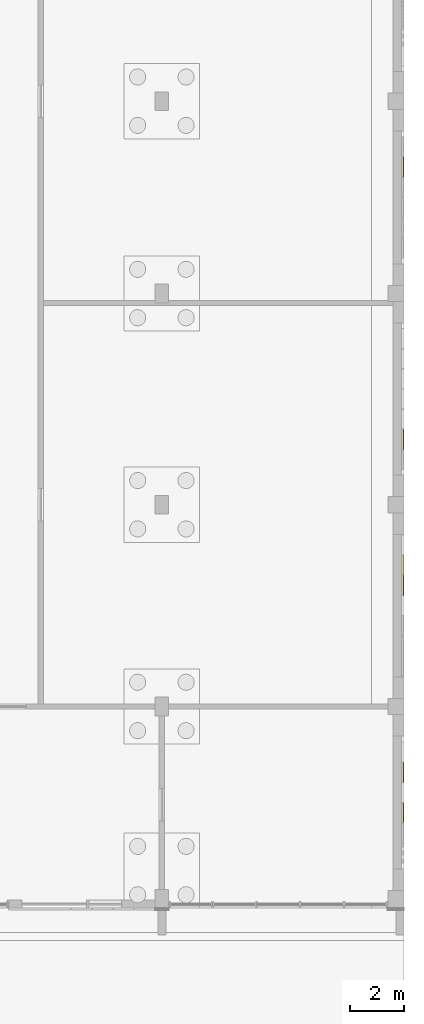
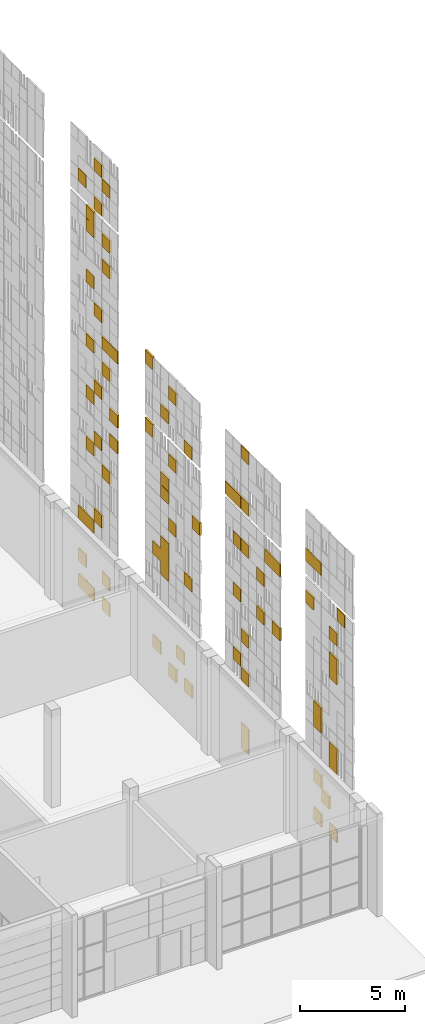
# One storey, part 106 of 125: 1 covering.
"""IFC4 building model written with IfcOpenShell, lengths in metres."""

from ifc_helpers import new_model, si_unit, direction, frame, origin, origin_2d, place, context, subcontext, project, spatial, rectangle, extrude, material, layer, layer_set, type_object, element, save


model = new_model("IFC4")

# Units and contexts
model_context = context("Model", 3, precision=1e-05, world=origin(), true_north=direction((0.0, 1.0)))
body_context = subcontext(model_context, "Body", "Model", "MODEL_VIEW")
ifc_project = project(units=[si_unit("LENGTHUNIT", "METRE"), si_unit("AREAUNIT", "SQUARE_METRE"), si_unit("VOLUMEUNIT", "CUBIC_METRE"), si_unit("PLANEANGLEUNIT", "RADIAN"), si_unit("MASSUNIT", "GRAM", prefix="KILO")], contexts=[model_context])

# Site, building, storey
site_placement = place(None, origin())
site = spatial("IfcSite", under=ifc_project, at=site_placement, CompositionType="ELEMENT")
building_placement = place(site_placement, origin())
building = spatial("IfcBuilding", under=site, at=building_placement, Name="Sun Court Science Centre", CompositionType="ELEMENT")
storey_placement = place(building_placement, origin())
storey = spatial("IfcBuildingStorey", under=building, at=storey_placement, Name="L00", CompositionType="ELEMENT", Elevation=0.0)

# Covering
ifc_material = material(Name="Terracotta shade 4", Category="masonry")
ifc_layer = layer(ifc_material, 0.06005859375)
ifc_layer_set = layer_set([ifc_layer], Name="Terracotta shade 4")
covering_type = type_object("IfcCoveringType", Name="Terracotta pixel panel shade 4", PredefinedType="CLADDING", material=ifc_layer_set)
covering_placement = place(storey_placement, origin())
element("IfcCovering", 1, at=covering_placement, inside=storey, type_object=covering_type, Name="Terracotta pixel cladding shade 4 east party wall L00", PredefinedType="CLADDING", context=body_context, shape_type="SweptSolid", body=[
    extrude(rectangle(XDim=0.739990234375, YDim=0.10009765625, at=origin_2d()), frame((103.949951171875, 11.050048828125, 1.72998046875), z_axis=(0.0, 0.0, 1.0), x_axis=(0.0, -1.0, 0.0)), (0.0, 0.0, 1.0), 0.739990234375),
    extrude(rectangle(XDim=0.739990234375, YDim=0.10009765625, at=origin_2d()), frame((103.949951171875, 10.300048828125, 3.22998046875), z_axis=(0.0, 0.0, 1.0), x_axis=(0.0, -1.0, 0.0)), (0.0, 0.0, 1.0), 0.739990234375),
    extrude(rectangle(XDim=0.739990234375, YDim=0.10009765625, at=origin_2d()), frame((103.949951171875, 11.050048828125, 3.97998046875), z_axis=(0.0, 0.0, 1.0), x_axis=(0.0, -1.0, 0.0)), (0.0, 0.0, 1.0), 0.739990234375),
    extrude(rectangle(XDim=0.739990234375, YDim=0.06005859375, at=origin_2d()), frame((103.929931640625, 18.0, 1.72998046875), z_axis=(0.0, 0.0, 1.0), x_axis=(0.0, -1.0, 0.0)), (0.0, 0.0, 1.0), 0.739990234375),
    extrude(rectangle(XDim=0.739990234375, YDim=0.06005859375, at=origin_2d()), frame((103.929931640625, 18.0, 2.47998046875), z_axis=(0.0, 0.0, 1.0), x_axis=(0.0, -1.0, 0.0)), (0.0, 0.0, 1.0), 0.739990234375),
    extrude(rectangle(XDim=0.739990234375, YDim=0.10009765625, at=origin_2d()), frame((103.949951171875, 23.425048828125, 1.72998046875), z_axis=(0.0, 0.0, 1.0), x_axis=(0.0, -1.0, 0.0)), (0.0, 0.0, 1.0), 0.739990234375),
    extrude(rectangle(XDim=0.739990234375, YDim=0.06005859375, at=origin_2d()), frame((103.929931640625, 26.425048828125, 2.47998046875), z_axis=(0.0, 0.0, 1.0), x_axis=(0.0, -1.0, 0.0)), (0.0, 0.0, 1.0), 0.739990234375),
    extrude(rectangle(XDim=0.739990234375, YDim=0.06005859375, at=origin_2d()), frame((103.929931640625, 24.175048828125, 3.22998046875), z_axis=(0.0, 0.0, 1.0), x_axis=(0.0, -1.0, 0.0)), (0.0, 0.0, 1.0), 0.739990234375),
    extrude(rectangle(XDim=0.739990234375, YDim=0.10009765625, at=origin_2d()), frame((103.949951171875, 33.550048828125, 1.72998046875), z_axis=(0.0, 0.0, 1.0), x_axis=(0.0, -1.0, 0.0)), (0.0, 0.0, 1.0), 0.739990234375),
    extrude(rectangle(XDim=0.739990234375, YDim=0.06005859375, at=origin_2d()), frame((103.929931640625, 32.800048828125, 1.72998046875), z_axis=(0.0, 0.0, 1.0), x_axis=(0.0, -1.0, 0.0)), (0.0, 0.0, 1.0), 0.739990234375),
    extrude(rectangle(XDim=0.739990234375, YDim=0.06005859375, at=origin_2d()), frame((103.929931640625, 33.550048828125, 3.22998046875), z_axis=(0.0, 0.0, 1.0), x_axis=(0.0, -1.0, 0.0)), (0.0, 0.0, 1.0), 0.739990234375),
    extrude(rectangle(XDim=0.739990234375, YDim=0.06005859375, at=origin_2d()), frame((103.929931640625, 31.300048828125, 3.22998046875), z_axis=(0.0, 0.0, 1.0), x_axis=(0.0, -1.0, 0.0)), (0.0, 0.0, 1.0), 0.739990234375),
    extrude(rectangle(XDim=0.739990234375, YDim=0.06005859375, at=origin_2d()), frame((103.929931640625, 9.550048828125, 5.705078125), z_axis=(0.0, 0.0, 1.0), x_axis=(0.0, -1.0, 0.0)), (0.0, 0.0, 1.0), 0.739990234375),
    extrude(rectangle(XDim=0.739990234375, YDim=0.10009765625, at=origin_2d()), frame((103.949951171875, 9.550048828125, 6.455078125), z_axis=(0.0, 0.0, 1.0), x_axis=(0.0, -1.0, 0.0)), (0.0, 0.0, 1.0), 0.739990234375),
    extrude(rectangle(XDim=0.739990234375, YDim=0.10009765625, at=origin_2d()), frame((103.949951171875, 11.050048828125, 7.205078125), z_axis=(0.0, 0.0, 1.0), x_axis=(0.0, -1.0, 0.0)), (0.0, 0.0, 1.0), 0.739990234375),
    extrude(rectangle(XDim=0.739990234375, YDim=0.10009765625, at=origin_2d()), frame((103.949951171875, 11.050048828125, 7.955078125), z_axis=(0.0, 0.0, 1.0), x_axis=(0.0, -1.0, 0.0)), (0.0, 0.0, 1.0), 0.739990234375),
    extrude(rectangle(XDim=0.739990234375, YDim=0.10009765625, at=origin_2d()), frame((103.949951171875, 18.0, 5.705078125), z_axis=(0.0, 0.0, 1.0), x_axis=(0.0, -1.0, 0.0)), (0.0, 0.0, 1.0), 0.739990234375),
    extrude(rectangle(XDim=0.739990234375, YDim=0.10009765625, at=origin_2d()), frame((103.949951171875, 18.75, 6.455078125), z_axis=(0.0, 0.0, 1.0), x_axis=(0.0, -1.0, 0.0)), (0.0, 0.0, 1.0), 0.739990234375),
    extrude(rectangle(XDim=0.739990234375, YDim=0.10009765625, at=origin_2d()), frame((103.949951171875, 18.0, 7.955078125), z_axis=(0.0, 0.0, 1.0), x_axis=(0.0, -1.0, 0.0)), (0.0, 0.0, 1.0), 0.739990234375),
    extrude(rectangle(XDim=0.739990234375, YDim=0.06005859375, at=origin_2d()), frame((103.929931640625, 18.75, 10.205078125), z_axis=(0.0, 0.0, 1.0), x_axis=(0.0, -1.0, 0.0)), (0.0, 0.0, 1.0), 0.739990234375),
    extrude(rectangle(XDim=0.739990234375, YDim=0.10009765625, at=origin_2d()), frame((103.949951171875, 16.5, 10.205078125), z_axis=(0.0, 0.0, 1.0), x_axis=(0.0, -1.0, 0.0)), (0.0, 0.0, 1.0), 0.739990234375),
    extrude(rectangle(XDim=0.739990234375, YDim=0.10009765625, at=origin_2d()), frame((103.949951171875, 15.0, 10.205078125), z_axis=(0.0, 0.0, 1.0), x_axis=(0.0, -1.0, 0.0)), (0.0, 0.0, 1.0), 0.739990234375),
    extrude(rectangle(XDim=0.739990234375, YDim=0.06005859375, at=origin_2d()), frame((103.929931640625, 25.675048828125, 7.205078125), z_axis=(0.0, 0.0, 1.0), x_axis=(0.0, -1.0, 0.0)), (0.0, 0.0, 1.0), 0.739990234375),
    extrude(rectangle(XDim=0.739990234375, YDim=0.06005859375, at=origin_2d()), frame((103.929931640625, 26.425048828125, 7.955078125), z_axis=(0.0, 0.0, 1.0), x_axis=(0.0, -1.0, 0.0)), (0.0, 0.0, 1.0), 0.739990234375),
    extrude(rectangle(XDim=0.739990234375, YDim=0.10009765625, at=origin_2d()), frame((103.949951171875, 25.675048828125, 7.955078125), z_axis=(0.0, 0.0, 1.0), x_axis=(0.0, -1.0, 0.0)), (0.0, 0.0, 1.0), 0.739990234375),
    extrude(rectangle(XDim=0.739990234375, YDim=0.06005859375, at=origin_2d()), frame((103.929931640625, 23.425048828125, 7.955078125), z_axis=(0.0, 0.0, 1.0), x_axis=(0.0, -1.0, 0.0)), (0.0, 0.0, 1.0), 0.739990234375),
    extrude(rectangle(XDim=0.739990234375, YDim=0.10009765625, at=origin_2d()), frame((103.949951171875, 25.675048828125, 8.705078125), z_axis=(0.0, 0.0, 1.0), x_axis=(0.0, -1.0, 0.0)), (0.0, 0.0, 1.0), 0.739990234375),
    extrude(rectangle(XDim=0.739990234375, YDim=0.06005859375, at=origin_2d()), frame((103.929931640625, 24.925048828125, 10.205078125), z_axis=(0.0, 0.0, 1.0), x_axis=(0.0, -1.0, 0.0)), (0.0, 0.0, 1.0), 0.739990234375),
    extrude(rectangle(XDim=0.739990234375, YDim=0.10009765625, at=origin_2d()), frame((103.949951171875, 33.550048828125, 5.705078125), z_axis=(0.0, 0.0, 1.0), x_axis=(0.0, -1.0, 0.0)), (0.0, 0.0, 1.0), 0.739990234375),
    extrude(rectangle(XDim=0.739990234375, YDim=0.06005859375, at=origin_2d()), frame((103.929931640625, 32.800048828125, 5.705078125), z_axis=(0.0, 0.0, 1.0), x_axis=(0.0, -1.0, 0.0)), (0.0, 0.0, 1.0), 0.739990234375),
    extrude(rectangle(XDim=0.739990234375, YDim=0.10009765625, at=origin_2d()), frame((103.949951171875, 32.050048828125, 6.455078125), z_axis=(0.0, 0.0, 1.0), x_axis=(0.0, -1.0, 0.0)), (0.0, 0.0, 1.0), 0.739990234375),
    extrude(rectangle(XDim=0.739990234375, YDim=0.10009765625, at=origin_2d()), frame((103.949951171875, 31.300048828125, 9.455078125), z_axis=(0.0, 0.0, 1.0), x_axis=(0.0, -1.0, 0.0)), (0.0, 0.0, 1.0), 0.739990234375),
    extrude(rectangle(XDim=0.739990234375, YDim=0.10009765625, at=origin_2d()), frame((103.949951171875, 32.800048828125, 10.205078125), z_axis=(0.0, 0.0, 1.0), x_axis=(0.0, -1.0, 0.0)), (0.0, 0.0, 1.0), 0.739990234375),
    extrude(rectangle(XDim=0.739990234375, YDim=0.10009765625, at=origin_2d()), frame((103.949951171875, 9.550048828125, 10.955078125), z_axis=(0.0, 0.0, 1.0), x_axis=(0.0, -1.0, 0.0)), (0.0, 0.0, 1.0), 0.739990234375),
    extrude(rectangle(XDim=0.739990234375, YDim=0.10009765625, at=origin_2d()), frame((103.949951171875, 9.550048828125, 11.705078125), z_axis=(0.0, 0.0, 1.0), x_axis=(0.0, -1.0, 0.0)), (0.0, 0.0, 1.0), 0.739990234375),
    extrude(rectangle(XDim=0.739990234375, YDim=0.06005859375, at=origin_2d()), frame((103.929931640625, 9.550048828125, 13.205078125), z_axis=(0.0, 0.0, 1.0), x_axis=(0.0, -1.0, 0.0)), (0.0, 0.0, 1.0), 0.739990234375),
    extrude(rectangle(XDim=0.739990234375, YDim=0.10009765625, at=origin_2d()), frame((103.949951171875, 11.800048828125, 13.955078125), z_axis=(0.0, 0.0, 1.0), x_axis=(0.0, -1.0, 0.0)), (0.0, 0.0, 1.0), 0.739990234375),
    extrude(rectangle(XDim=0.739990234375, YDim=0.06005859375, at=origin_2d()), frame((103.929931640625, 8.800048828125, 14.705078125), z_axis=(0.0, 0.0, 1.0), x_axis=(0.0, -1.0, 0.0)), (0.0, 0.0, 1.0), 0.739990234375),
    extrude(rectangle(XDim=0.739990234375, YDim=0.06005859375, at=origin_2d()), frame((103.929931640625, 16.5, 12.455078125), z_axis=(0.0, 0.0, 1.0), x_axis=(0.0, -1.0, 0.0)), (0.0, 0.0, 1.0), 0.739990234375),
    extrude(rectangle(XDim=0.739990234375, YDim=0.06005859375, at=origin_2d()), frame((103.929931640625, 18.75, 13.205078125), z_axis=(0.0, 0.0, 1.0), x_axis=(0.0, -1.0, 0.0)), (0.0, 0.0, 1.0), 0.739990234375),
    extrude(rectangle(XDim=0.739990234375, YDim=0.10009765625, at=origin_2d()), frame((103.949951171875, 18.0, 13.205078125), z_axis=(0.0, 0.0, 1.0), x_axis=(0.0, -1.0, 0.0)), (0.0, 0.0, 1.0), 0.739990234375),
    extrude(rectangle(XDim=0.739990234375, YDim=0.10009765625, at=origin_2d()), frame((103.949951171875, 15.75, 13.955078125), z_axis=(0.0, 0.0, 1.0), x_axis=(0.0, -1.0, 0.0)), (0.0, 0.0, 1.0), 0.739990234375),
    extrude(rectangle(XDim=0.739990234375, YDim=0.06005859375, at=origin_2d()), frame((103.929931640625, 15.0, 13.955078125), z_axis=(0.0, 0.0, 1.0), x_axis=(0.0, -1.0, 0.0)), (0.0, 0.0, 1.0), 0.739990234375),
    extrude(rectangle(XDim=0.739990234375, YDim=0.10009765625, at=origin_2d()), frame((103.949951171875, 25.675048828125, 11.705078125), z_axis=(0.0, 0.0, 1.0), x_axis=(0.0, -1.0, 0.0)), (0.0, 0.0, 1.0), 0.739990234375),
    extrude(rectangle(XDim=0.739990234375, YDim=0.10009765625, at=origin_2d()), frame((103.949951171875, 22.675048828125, 11.705078125), z_axis=(0.0, 0.0, 1.0), x_axis=(0.0, -1.0, 0.0)), (0.0, 0.0, 1.0), 0.739990234375),
    extrude(rectangle(XDim=0.739990234375, YDim=0.10009765625, at=origin_2d()), frame((103.949951171875, 25.675048828125, 12.455078125), z_axis=(0.0, 0.0, 1.0), x_axis=(0.0, -1.0, 0.0)), (0.0, 0.0, 1.0), 0.739990234375),
    extrude(rectangle(XDim=0.739990234375, YDim=0.10009765625, at=origin_2d()), frame((103.949951171875, 24.925048828125, 13.955078125), z_axis=(0.0, 0.0, 1.0), x_axis=(0.0, -1.0, 0.0)), (0.0, 0.0, 1.0), 0.739990234375),
    extrude(rectangle(XDim=0.739990234375, YDim=0.10009765625, at=origin_2d()), frame((103.949951171875, 27.175048828125, 14.705078125), z_axis=(0.0, 0.0, 1.0), x_axis=(0.0, -1.0, 0.0)), (0.0, 0.0, 1.0), 0.739990234375),
    extrude(rectangle(XDim=0.739990234375, YDim=0.06005859375, at=origin_2d()), frame((103.929931640625, 32.050048828125, 10.955078125), z_axis=(0.0, 0.0, 1.0), x_axis=(0.0, -1.0, 0.0)), (0.0, 0.0, 1.0), 0.739990234375),
    extrude(rectangle(XDim=0.739990234375, YDim=0.06005859375, at=origin_2d()), frame((103.929931640625, 30.550048828125, 11.705078125), z_axis=(0.0, 0.0, 1.0), x_axis=(0.0, -1.0, 0.0)), (0.0, 0.0, 1.0), 0.739990234375),
    extrude(rectangle(XDim=0.739990234375, YDim=0.06005859375, at=origin_2d()), frame((103.929931640625, 32.800048828125, 13.205078125), z_axis=(0.0, 0.0, 1.0), x_axis=(0.0, -1.0, 0.0)), (0.0, 0.0, 1.0), 0.739990234375),
    extrude(rectangle(XDim=0.739990234375, YDim=0.10009765625, at=origin_2d()), frame((103.949951171875, 30.550048828125, 13.205078125), z_axis=(0.0, 0.0, 1.0), x_axis=(0.0, -1.0, 0.0)), (0.0, 0.0, 1.0), 0.739990234375),
    extrude(rectangle(XDim=0.739990234375, YDim=0.10009765625, at=origin_2d()), frame((103.949951171875, 32.050048828125, 13.955078125), z_axis=(0.0, 0.0, 1.0), x_axis=(0.0, -1.0, 0.0)), (0.0, 0.0, 1.0), 0.739990234375),
    extrude(rectangle(XDim=0.739990234375, YDim=0.06005859375, at=origin_2d()), frame((103.929931640625, 11.800048828125, 16.40478515625), z_axis=(0.0, 0.0, 1.0), x_axis=(0.0, -1.0, 0.0)), (0.0, 0.0, 1.0), 0.739990234375),
    extrude(rectangle(XDim=0.739990234375, YDim=0.06005859375, at=origin_2d()), frame((103.929931640625, 11.050048828125, 16.40478515625), z_axis=(0.0, 0.0, 1.0), x_axis=(0.0, -1.0, 0.0)), (0.0, 0.0, 1.0), 0.739990234375),
    extrude(rectangle(XDim=0.739990234375, YDim=0.06005859375, at=origin_2d()), frame((103.929931640625, 19.5, 15.65478515625), z_axis=(0.0, 0.0, 1.0), x_axis=(0.0, -1.0, 0.0)), (0.0, 0.0, 1.0), 0.739990234375),
    extrude(rectangle(XDim=0.739990234375, YDim=0.10009765625, at=origin_2d()), frame((103.949951171875, 18.75, 15.65478515625), z_axis=(0.0, 0.0, 1.0), x_axis=(0.0, -1.0, 0.0)), (0.0, 0.0, 1.0), 0.739990234375),
    extrude(rectangle(XDim=0.739990234375, YDim=0.10009765625, at=origin_2d()), frame((103.949951171875, 18.0, 15.65478515625), z_axis=(0.0, 0.0, 1.0), x_axis=(0.0, -1.0, 0.0)), (0.0, 0.0, 1.0), 0.739990234375),
    extrude(rectangle(XDim=0.739990234375, YDim=0.06005859375, at=origin_2d()), frame((103.929931640625, 18.0, 18.65478515625), z_axis=(0.0, 0.0, 1.0), x_axis=(0.0, -1.0, 0.0)), (0.0, 0.0, 1.0), 0.739990234375),
    extrude(rectangle(XDim=0.739990234375, YDim=0.06005859375, at=origin_2d()), frame((103.929931640625, 23.425048828125, 15.65478515625), z_axis=(0.0, 0.0, 1.0), x_axis=(0.0, -1.0, 0.0)), (0.0, 0.0, 1.0), 0.739990234375),
    extrude(rectangle(XDim=0.739990234375, YDim=0.10009765625, at=origin_2d()), frame((103.949951171875, 25.675048828125, 16.40478515625), z_axis=(0.0, 0.0, 1.0), x_axis=(0.0, -1.0, 0.0)), (0.0, 0.0, 1.0), 0.739990234375),
    extrude(rectangle(XDim=0.739990234375, YDim=0.10009765625, at=origin_2d()), frame((103.949951171875, 24.925048828125, 17.90478515625), z_axis=(0.0, 0.0, 1.0), x_axis=(0.0, -1.0, 0.0)), (0.0, 0.0, 1.0), 0.739990234375),
    extrude(rectangle(XDim=0.739990234375, YDim=0.10009765625, at=origin_2d()), frame((103.949951171875, 27.175048828125, 18.65478515625), z_axis=(0.0, 0.0, 1.0), x_axis=(0.0, -1.0, 0.0)), (0.0, 0.0, 1.0), 0.739990234375),
    extrude(rectangle(XDim=0.739990234375, YDim=0.10009765625, at=origin_2d()), frame((103.949951171875, 31.300048828125, 15.455078125), z_axis=(0.0, 0.0, 1.0), x_axis=(0.0, -1.0, 0.0)), (0.0, 0.0, 1.0), 0.739990234375),
    extrude(rectangle(XDim=0.739990234375, YDim=0.10009765625, at=origin_2d()), frame((103.949951171875, 32.800048828125, 16.205078125), z_axis=(0.0, 0.0, 1.0), x_axis=(0.0, -1.0, 0.0)), (0.0, 0.0, 1.0), 0.739990234375),
    extrude(rectangle(XDim=0.739990234375, YDim=0.10009765625, at=origin_2d()), frame((103.949951171875, 31.300048828125, 16.955078125), z_axis=(0.0, 0.0, 1.0), x_axis=(0.0, -1.0, 0.0)), (0.0, 0.0, 1.0), 0.739990234375),
    extrude(rectangle(XDim=0.739990234375, YDim=0.06005859375, at=origin_2d()), frame((103.929931640625, 30.550048828125, 16.955078125), z_axis=(0.0, 0.0, 1.0), x_axis=(0.0, -1.0, 0.0)), (0.0, 0.0, 1.0), 0.739990234375),
    extrude(rectangle(XDim=0.739990234375, YDim=0.10009765625, at=origin_2d()), frame((103.949951171875, 32.050048828125, 18.455078125), z_axis=(0.0, 0.0, 1.0), x_axis=(0.0, -1.0, 0.0)), (0.0, 0.0, 1.0), 0.739990234375),
    extrude(rectangle(XDim=0.739990234375, YDim=0.06005859375, at=origin_2d()), frame((103.929931640625, 32.800048828125, 19.955078125), z_axis=(0.0, 0.0, 1.0), x_axis=(0.0, -1.0, 0.0)), (0.0, 0.0, 1.0), 0.739990234375),
    extrude(rectangle(XDim=0.739990234375, YDim=0.10009765625, at=origin_2d()), frame((103.949951171875, 31.300048828125, 21.455078125), z_axis=(0.0, 0.0, 1.0), x_axis=(0.0, -1.0, 0.0)), (0.0, 0.0, 1.0), 0.739990234375),
    extrude(rectangle(XDim=0.739990234375, YDim=0.10009765625, at=origin_2d()), frame((103.949951171875, 32.800048828125, 22.955078125), z_axis=(0.0, 0.0, 1.0), x_axis=(0.0, -1.0, 0.0)), (0.0, 0.0, 1.0), 0.739990234375),
    extrude(rectangle(XDim=0.739990234375, YDim=0.10009765625, at=origin_2d()), frame((103.949951171875, 31.300048828125, 22.955078125), z_axis=(0.0, 0.0, 1.0), x_axis=(0.0, -1.0, 0.0)), (0.0, 0.0, 1.0), 0.739990234375),
    extrude(rectangle(XDim=0.739990234375, YDim=0.10009765625, at=origin_2d()), frame((103.949951171875, 32.800048828125, 23.705078125), z_axis=(0.0, 0.0, 1.0), x_axis=(0.0, -1.0, 0.0)), (0.0, 0.0, 1.0), 0.739990234375),
    extrude(rectangle(XDim=0.739990234375, YDim=0.10009765625, at=origin_2d()), frame((103.949951171875, 32.050048828125, 24.65478515625), z_axis=(0.0, 0.0, 1.0), x_axis=(0.0, -1.0, 0.0)), (0.0, 0.0, 1.0), 0.739990234375),
    extrude(rectangle(XDim=0.739990234375, YDim=0.06005859375, at=origin_2d()), frame((103.929931640625, 33.550048828125, 25.40478515625), z_axis=(0.0, 0.0, 1.0), x_axis=(0.0, -1.0, 0.0)), (0.0, 0.0, 1.0), 0.739990234375),
    extrude(rectangle(XDim=0.739990234375, YDim=0.06005859375, at=origin_2d()), frame((103.929931640625, 31.300048828125, 26.15478515625), z_axis=(0.0, 0.0, 1.0), x_axis=(0.0, -1.0, 0.0)), (0.0, 0.0, 1.0), 0.739990234375),
    extrude(rectangle(XDim=0.739990234375, YDim=0.10009765625, at=origin_2d()), frame((103.949951171875, 32.050048828125, 26.90478515625), z_axis=(0.0, 0.0, 1.0), x_axis=(0.0, -1.0, 0.0)), (0.0, 0.0, 1.0), 0.739990234375),
    extrude(rectangle(XDim=0.739990234375, YDim=0.06005859375, at=origin_2d()), frame((103.929931640625, 9.550048828125, 1.72998046875), z_axis=(0.0, 0.0, 1.0), x_axis=(0.0, -1.0, 0.0)), (0.0, 0.0, 1.0), 0.739990234375),
    extrude(rectangle(XDim=0.739990234375, YDim=0.10009765625, at=origin_2d()), frame((103.949951171875, 24.925048828125, 1.72998046875), z_axis=(0.0, 0.0, 1.0), x_axis=(0.0, -1.0, 0.0)), (0.0, 0.0, 1.0), 0.739990234375),
    extrude(rectangle(XDim=0.739990234375, YDim=0.06005859375, at=origin_2d()), frame((103.929931640625, 31.300048828125, 1.72998046875), z_axis=(0.0, 0.0, 1.0), x_axis=(0.0, -1.0, 0.0)), (0.0, 0.0, 1.0), 0.739990234375),
])

save(model, "model.ifc")
